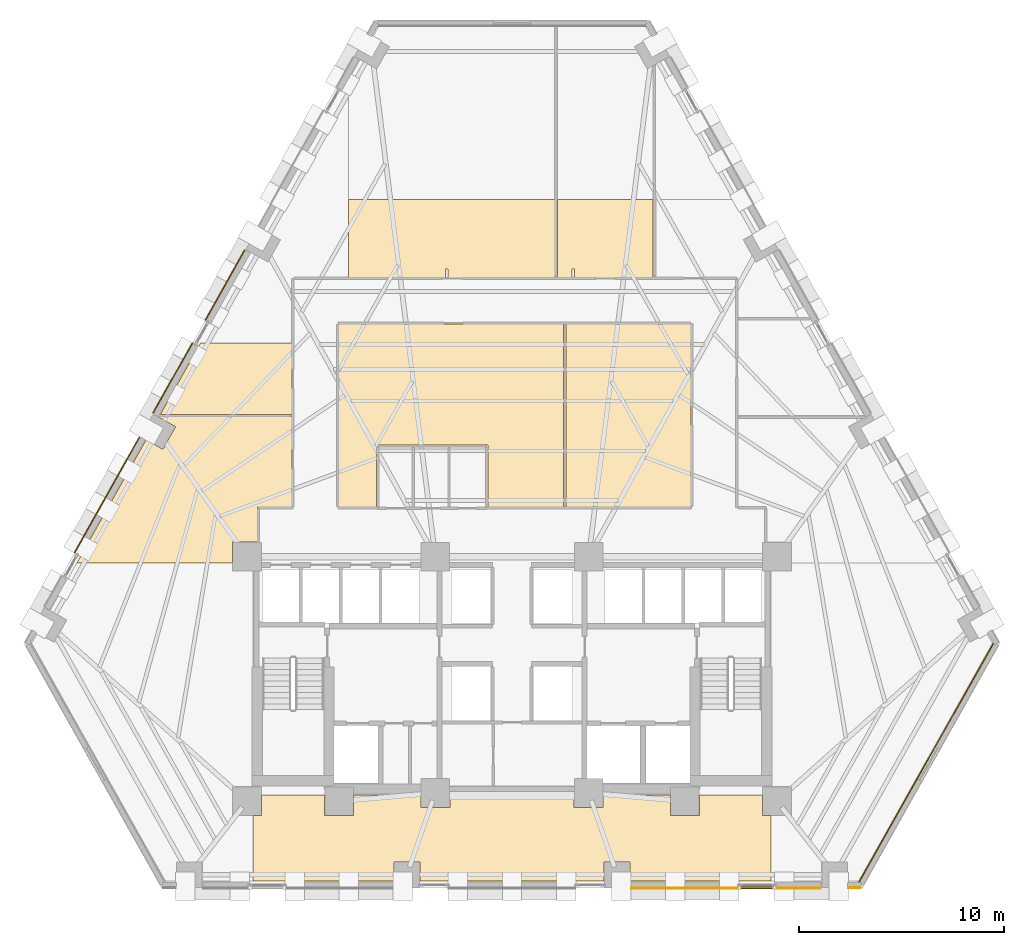
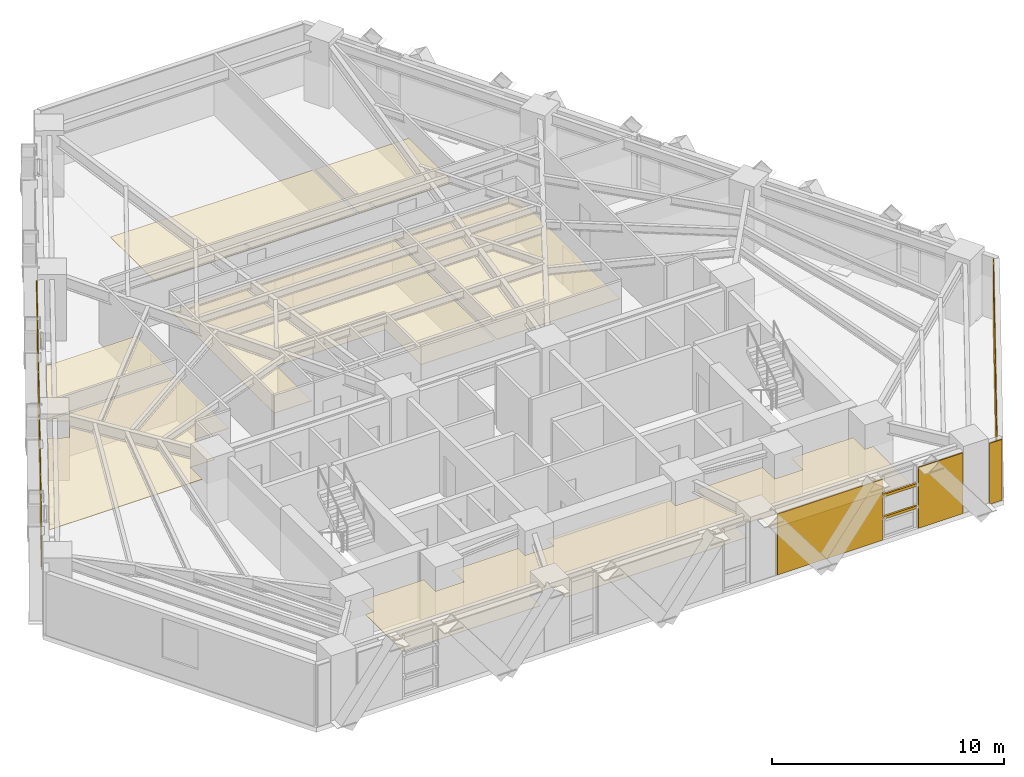
# One storey, part 11 of 13: 14 coverings, 2 shading devices.
"""IFC4 building model written with IfcOpenShell, lengths in metres."""

from ifc_helpers import new_model, si_unit, direction, frame, origin, origin_2d, place, context, subcontext, project, spatial, polyline, rectangle, outline, extrude, material, layer, layer_set, material_profile, profile_set, type_object, element, save


model = new_model("IFC4")

# Units and contexts
model_context = context("Model", 3, precision=1e-05, world=origin(), true_north=direction((0.0, 1.0)))
body_context = subcontext(model_context, "Body", "Model", "MODEL_VIEW")
ifc_project = project(units=[si_unit("LENGTHUNIT", "METRE"), si_unit("AREAUNIT", "SQUARE_METRE"), si_unit("VOLUMEUNIT", "CUBIC_METRE"), si_unit("PLANEANGLEUNIT", "RADIAN"), si_unit("MASSUNIT", "GRAM", prefix="KILO")], contexts=[model_context])

# Site, building, storey
site_placement = place(None, origin())
site = spatial("IfcSite", under=ifc_project, at=site_placement, CompositionType="ELEMENT")
building_placement = place(site_placement, origin())
building = spatial("IfcBuilding", under=site, at=building_placement, Name="Quenlor Broadcast Tower", CompositionType="ELEMENT")
storey_placement = place(building_placement, frame((0.0, 0.0, 59.10009765625)))
storey = spatial("IfcBuildingStorey", under=building, at=storey_placement, Name="L15", CompositionType="ELEMENT", Elevation=59.10009765625)

# Coverings
ifc_material_1 = material(Name="Acoustic Mineral Fibre Board", Category="other")
ifc_layer_1 = layer(ifc_material_1, 0.02490234375)
ifc_layer_set_1 = layer_set([ifc_layer_1], Name="Acoustic Perforated Mineral Tile Ceiling 25")
covering_type_1 = type_object("IfcCoveringType", Name="Acoustic Perforated Mineral Tile Ceiling 25", PredefinedType="CEILING", material=ifc_layer_set_1)
covering_1_placement = place(storey_placement, frame((0.0, 0.0, 2.224853515625)))
element("IfcCovering", 1, at=covering_1_placement, inside=storey, type_object=covering_type_1, Name="L15 Acoustic Ceiling L15-31", PredefinedType="CEILING", context=body_context, shape_type="SweptSolid", body=[
    extrude(outline(polyline([(6.89990234375, 8.830078125), (3.06005859375, 8.830078125), (3.06005859375, 9.25), (2.93994140625, 9.25), (2.93994140625, 8.830078125), (2.219970703125, 8.830078125), (2.219970703125, 12.64990234375), (6.89990234375, 12.64990234375), (6.89990234375, 8.830078125)])), origin(), (0.0, 0.0, 1.0), 0.025146484375),
])
covering_2_placement = place(storey_placement, frame((0.0, 0.0, 2.224853515625)))
element("IfcCovering", 2, at=covering_2_placement, inside=storey, type_object=covering_type_1, Name="L15 Acoustic Ceiling L15-32", PredefinedType="CEILING", context=body_context, shape_type="SweptSolid", body=[
    extrude(outline(polyline([(-3.139892578125, 8.830078125), (-3.139892578125, 9.25), (-3.260009765625, 9.25), (-3.260009765625, 8.830078125), (-7.97998046875, 8.830078125), (-7.97998046875, 12.64990234375), (2.10009765625, 12.64990234375), (2.10009765625, 8.830078125), (-3.139892578125, 8.830078125)])), origin(), (0.0, 0.0, 1.0), 0.025146484375),
])
covering_3_placement = place(storey_placement, frame((0.0, 0.0, 2.224853515625)))
element("IfcCovering", 3, at=covering_3_placement, inside=storey, type_object=covering_type_1, Name="L15 Acoustic Ceiling L15-35", PredefinedType="CEILING", context=body_context, shape_type="SweptSolid", body=[
    extrude(outline(polyline([(-17.182373046875, 2.159912109375), (-15.224853515625, 5.639892578125), (-10.7451171875, 5.639892578125), (-10.7451171875, 2.159912109375), (-17.182373046875, 2.159912109375)])), origin(), (0.0, 0.0, 1.0), 0.025146484375),
])
covering_4_placement = place(storey_placement, frame((0.0, 0.0, 2.224853515625)))
element("IfcCovering", 4, at=covering_4_placement, inside=storey, type_object=covering_type_1, Name="L15 Acoustic Ceiling L15-36", PredefinedType="CEILING", context=body_context, shape_type="SweptSolid", body=[
    extrude(outline(polyline([(-1.179931640625, -2.3701171875), (-1.179931640625, 0.669921875), (-3.2900390625, 0.669921875), (-6.6201171875, 0.669921875), (-6.6201171875, -2.3701171875), (-8.485107421875, -2.3701171875), (-8.485107421875, 6.570068359375), (-3.2900390625, 6.570068359375), (2.510986328125, 6.570068359375), (2.510986328125, -2.3701171875), (-1.179931640625, -2.3701171875)])), origin(), (0.0, 0.0, 1.0), 0.025146484375),
])
covering_5_placement = place(storey_placement, frame((0.0, 0.0, 2.224853515625)))
element("IfcCovering", 5, at=covering_5_placement, inside=storey, type_object=covering_type_1, Name="L15 Acoustic Ceiling L15-37", PredefinedType="CEILING", context=body_context, shape_type="SweptSolid", body=[
    extrude(outline(polyline([(2.909912109375, -2.3701171875), (2.631103515625, -2.3701171875), (2.631103515625, 6.570068359375), (2.909912109375, 6.570068359375), (8.7548828125, 6.570068359375), (8.7548828125, -2.3701171875), (2.909912109375, -2.3701171875)])), origin(), (0.0, 0.0, 1.0), 0.025146484375),
])
covering_6_placement = place(storey_placement, frame((0.0, 0.0, 2.224853515625)))
element("IfcCovering", 6, at=covering_6_placement, inside=storey, type_object=covering_type_1, Name="L15 Acoustic Ceiling L15-38", PredefinedType="CEILING", context=body_context, shape_type="SweptSolid", body=[
    extrude(outline(polyline([(-17.884521484375, 0.912109375), (-17.0625, 0.44970703125), (-16.44189453125, 1.552978515625), (-17.263671875, 2.015380859375), (-17.25, 2.0400390625), (-10.7451171875, 2.0400390625), (-10.7451171875, -2.3701171875), (-12.43994140625, -2.3701171875), (-12.43994140625, -4.092041015625), (-13.657958984375, -4.092041015625), (-13.657958984375, -5.1201171875), (-21.27734375, -5.1201171875), (-17.884521484375, 0.912109375)])), origin(), (0.0, 0.0, 1.0), 0.025146484375),
])
covering_7_placement = place(storey_placement, frame((0.0, 0.0, 2.224853515625)))
element("IfcCovering", 7, at=covering_7_placement, inside=storey, type_object=covering_type_1, Name="L15 Acoustic Ceiling L15-38-5", PredefinedType="CEILING", context=body_context, shape_type="SweptSolid", body=[
    extrude(outline(polyline([(-12.241943359375, -17.4580078125), (-12.241943359375, -16.449951171875), (-9.157958984375, -16.449951171875), (-9.157958984375, -17.4580078125), (-7.741943359375, -17.4580078125), (-7.741943359375, -16.449951171875), (-4.4580078125, -16.449951171875), (-4.4580078125, -17.05810546875), (-3.0419921875, -17.05810546875), (-3.0419921875, -16.449951171875), (3.0419921875, -16.449951171875), (3.0419921875, -17.05810546875), (4.4580078125, -17.05810546875), (4.4580078125, -16.449951171875), (7.741943359375, -16.449951171875), (7.741943359375, -17.4580078125), (9.157958984375, -17.4580078125), (9.157958984375, -16.449951171875), (12.241943359375, -16.449951171875), (12.241943359375, -17.4580078125), (12.64990234375, -17.4580078125), (12.64990234375, -20.659912109375), (5.773681640625, -20.659912109375), (5.773681640625, -19.717041015625), (4.5078125, -19.717041015625), (4.5078125, -20.659912109375), (-4.5078125, -20.659912109375), (-4.5078125, -19.717041015625), (-5.773681640625, -19.717041015625), (-5.773681640625, -20.659912109375), (-12.64990234375, -20.659912109375), (-12.64990234375, -17.4580078125), (-12.241943359375, -17.4580078125)])), origin(), (0.0, 0.0, 1.0), 0.025146484375),
])

# Shading devices
ifc_material_2 = material(Name="Architectural Terracotta Ceramic", Category="masonry")
ifc_material_profile = material_profile(ifc_material_2, rectangle(XDim=0.090087890625, YDim=0.139892578125, at=origin_2d()))
ifc_profile_set = profile_set([ifc_material_profile], Name="Architectural Terracotta Ceramic BAG90x140")
shading_device_type = type_object("IfcShadingDeviceType", Name="Copper Terracotta Baguette Solar Screen 140", PredefinedType="USERDEFINED", material=ifc_profile_set)
for number, where, z_axis, x_axis, name in (
    (8, (12.794921875, -20.98291015625, 1.169921875), (-1.0, 0.0, 0.0), (0.0, -1.0, 0.0), "L15 Terracotta Baguette Screen 1"),
    (9, (12.794921875, -20.98291015625, 2.33984375), (-1.0, 0.0, 0.0), (0.0, -1.0, 0.0), "L15 Terracotta Baguette Screen 2"),
):
    element("IfcShadingDevice", number, at=place(storey_placement, frame(where, z_axis=z_axis, x_axis=x_axis)), inside=storey, type_object=shading_device_type, Name=name, ObjectType="BAGUETTE", PredefinedType="USERDEFINED", context=body_context, shape_type="SweptSolid", body=[
        extrude(rectangle(XDim=0.090087890625, YDim=0.139892578125, at=origin_2d()), origin(), (0.0, 0.0, 1.0), 1.6484375),
    ])

# Coverings
ifc_material_3 = material(Name="Architectural Terracotta Ceramic", Category="masonry")
ifc_layer_2 = layer(ifc_material_3, 0.044921875)
ifc_layer_set_2 = layer_set([ifc_layer_2], Name="Fluted Terracotta Rainscreen Cladding Panel")
covering_type_2 = type_object("IfcCoveringType", Name="Fluted Terracotta Rainscreen Cladding Panel", PredefinedType="CLADDING", material=ifc_layer_set_2)
covering_8_placement = place(storey_placement, frame((0.0, 0.0, 0.02001953125)))
element("IfcCovering", 10, at=covering_8_placement, inside=storey, type_object=covering_type_2, Name="L15 Terracotta Rainscreen Cladding L15-SHD-SS0", PredefinedType="CLADDING", context=body_context, shape_type="SweptSolid", body=[
    extrude(outline(polyline([(17.0458984375, -20.951904296875), (16.425048828125, -20.951904296875), (16.425048828125, -20.9970703125), (17.0458984375, -20.9970703125), (17.0458984375, -20.951904296875)])), origin(), (0.0, 0.0, 1.0), 3.2099609375),
])
covering_9_placement = place(storey_placement, frame((0.0, 0.0, 0.02001953125)))
element("IfcCovering", 11, at=covering_9_placement, inside=storey, type_object=covering_type_2, Name="L15 Terracotta Rainscreen Cladding L15-SA-SP1", PredefinedType="CLADDING", context=body_context, shape_type="SweptSolid", body=[
    extrude(outline(polyline([(15.085205078125, -20.98193359375), (12.864990234375, -20.98193359375), (12.864990234375, -21.027099609375), (15.085205078125, -21.027099609375), (15.085205078125, -20.98193359375)])), origin(), (0.0, 0.0, 1.0), 3.2099609375),
])
covering_10_placement = place(storey_placement, frame((0.0, 0.0, 0.02001953125)))
element("IfcCovering", 12, at=covering_10_placement, inside=storey, type_object=covering_type_2, Name="L15 Terracotta Rainscreen Cladding L15-SA-SP2", PredefinedType="CLADDING", context=body_context, shape_type="SweptSolid", body=[
    extrude(outline(polyline([(11.07666015625, -20.98193359375), (5.82080078125, -20.98193359375), (5.82080078125, -21.027099609375), (11.07666015625, -21.027099609375), (11.07666015625, -20.98193359375)])), origin(), (0.0, 0.0, 1.0), 3.2099609375),
])
covering_11_placement = place(storey_placement, frame((0.0, 0.0, 0.02001953125)))
element("IfcCovering", 13, at=covering_11_placement, inside=storey, type_object=covering_type_2, Name="L15 Terracotta Rainscreen Cladding L15-NWA-SP2", PredefinedType="CLADDING", context=body_context, shape_type="SweptSolid", body=[
    extrude(outline(polyline([(-21.36669921875, -4.621826171875), (-18.18798828125, 1.029052734375), (-18.227294921875, 1.051025390625), (-21.406005859375, -4.599853515625), (-21.36669921875, -4.621826171875)])), origin(), (0.0, 0.0, 1.0), 3.2099609375),
])
covering_12_placement = place(storey_placement, frame((0.0, 0.0, 0.02001953125)))
element("IfcCovering", 14, at=covering_12_placement, inside=storey, type_object=covering_type_2, Name="L15 Terracotta Rainscreen Cladding L15-NW-SP1", PredefinedType="CLADDING", context=body_context, shape_type="SweptSolid", body=[
    extrude(outline(polyline([(-17.523681640625, 2.2099609375), (-15.595458984375, 5.63818359375), (-15.634765625, 5.66015625), (-17.56298828125, 2.23193359375), (-17.523681640625, 2.2099609375)])), origin(), (0.0, 0.0, 1.0), 3.2099609375),
])
covering_13_placement = place(storey_placement, frame((0.0, 0.0, 0.02001953125)))
element("IfcCovering", 15, at=covering_13_placement, inside=storey, type_object=covering_type_2, Name="L15 Terracotta Rainscreen Cladding L15-NW-SP2", PredefinedType="CLADDING", context=body_context, shape_type="SweptSolid", body=[
    extrude(outline(polyline([(-14.97314453125, 6.744384765625), (-13.044921875, 10.172607421875), (-13.083984375, 10.194580078125), (-15.012451171875, 6.766357421875), (-14.97314453125, 6.744384765625)])), origin(), (0.0, 0.0, 1.0), 3.2099609375),
])
covering_14_placement = place(storey_placement, frame((0.0, 0.0, 0.02001953125)))
element("IfcCovering", 16, at=covering_14_placement, inside=storey, type_object=covering_type_2, Name="L15 Terracotta Rainscreen Cladding L15-CNR-06", PredefinedType="CLADDING", context=body_context, shape_type="SweptSolid", body=[
    extrude(outline(polyline([(16.98388671875, -20.71533203125), (23.547607421875, -9.046875), (23.50830078125, -9.02490234375), (16.94482421875, -20.693359375), (16.98388671875, -20.71533203125)])), origin(), (0.0, 0.0, 1.0), 3.2099609375),
])

save(model, "model.ifc")
